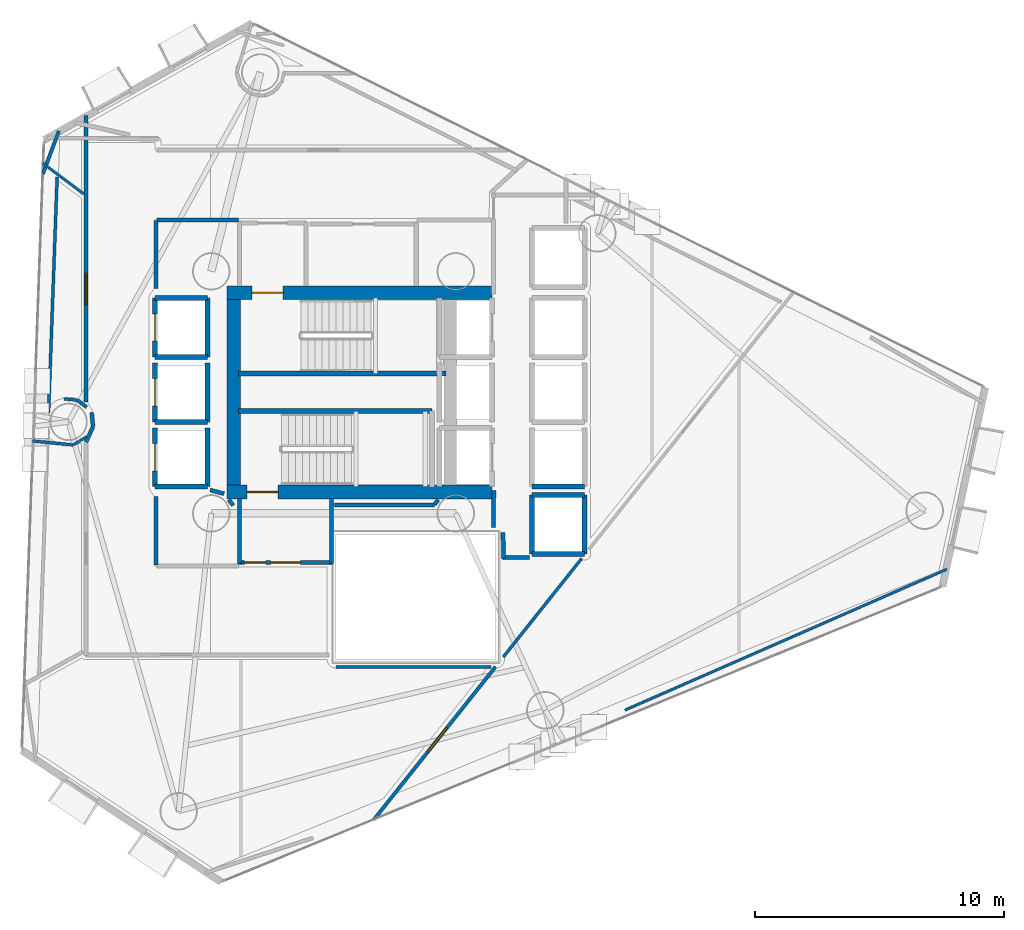
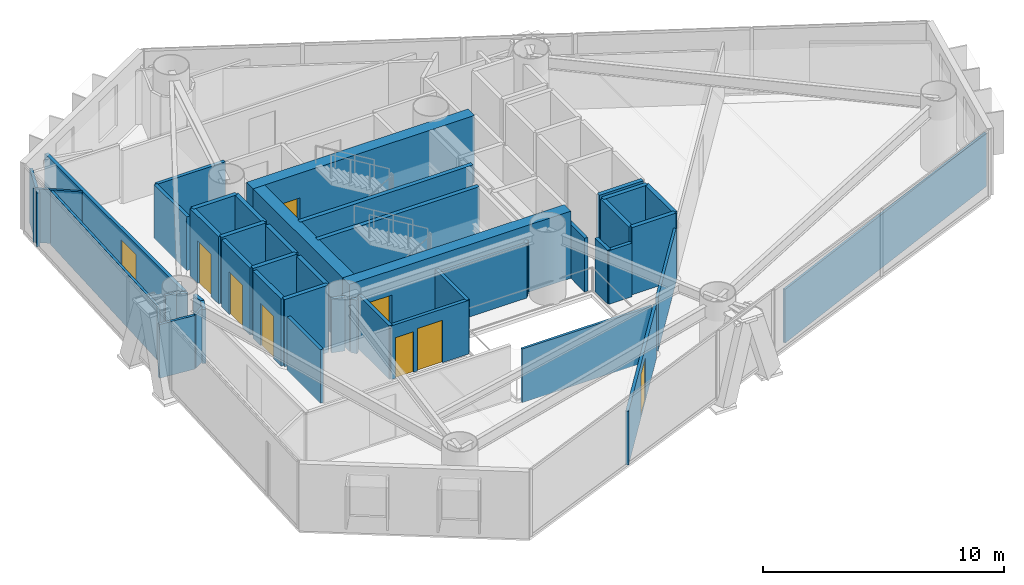
# One storey, part 17 of 22: 47 walls, 9 doors, 9 openings.
"""IFC4 building model written with IfcOpenShell, lengths in metres."""

import ifcopenshell
import ifcopenshell.guid

model = None  # the IFC model being written
_history = None  # IfcOwnerHistory: only IFC2X3 demands one
_inside = {}  # id of a spatial element -> (the spatial element, [elements in it])
_under = {}  # id of a project, library or spatial element -> (it, [spatial elements below it])
_declared = {}  # id of a project -> (the project, [libraries it declares])
_typed = {}  # id of a type object -> (the type object, [elements of that type])
_made_of = {}  # id of a material, layer set ... -> (it, [elements and type objects made of it])


def new_model(schema):
    """Start an empty IFC model of exactly this schema.

    Asked for "IFC4X3", IfcOpenShell would pick the latest addendum, in which some entities
    have other attributes; the version numbers below select the first issue.
    IFC2X3 requires an IfcOwnerHistory on every rooted entity: one is made here for all.
    """
    global model, _history
    if schema == "IFC4X3":
        model = ifcopenshell.file(schema_version=(4, 3, 0, 0))
    else:
        model = ifcopenshell.file(schema=schema)
    _inside.clear()
    _under.clear()
    _declared.clear()
    _typed.clear()
    _made_of.clear()
    _history = None
    if model.schema == "IFC2X3":
        org = make("IfcOrganization", Name="unknown")
        user = make(
            "IfcPersonAndOrganization",
            ThePerson=make("IfcPerson", FamilyName="unknown"),
            TheOrganization=org,
        )
        app = make(
            "IfcApplication",
            ApplicationDeveloper=org,
            Version="unknown",
            ApplicationFullName="unknown",
            ApplicationIdentifier="unknown",
        )
        _history = make(
            "IfcOwnerHistory",
            OwningUser=user,
            OwningApplication=app,
            ChangeAction="ADDED",
            CreationDate=0,
        )
    return model


def make(cls, **values):
    """One entity of the class cls with the attributes given. An attribute that is None is left unset."""
    return model.create_entity(
        cls, **{name: value for name, value in values.items() if value is not None}
    )


def rooted(cls, **values):
    """An entity with a GlobalId (a new one), such as an element, a storey or a relation."""
    return make(cls, GlobalId=ifcopenshell.guid.new(), OwnerHistory=_history, **values)


def si_unit(unit_type, name, prefix=None):
    """IfcSIUnit, for example si_unit("LENGTHUNIT", "METRE", prefix="MILLI")."""
    return make("IfcSIUnit", UnitType=unit_type, Prefix=prefix, Name=name)


def assignment(units):
    """IfcUnitAssignment: the units of a project."""
    return None if units is None else make("IfcUnitAssignment", Units=units)


def point(xyz):
    """IfcCartesianPoint."""
    return None if xyz is None else make("IfcCartesianPoint", Coordinates=xyz)


def direction(xyz):
    """IfcDirection."""
    return None if xyz is None else make("IfcDirection", DirectionRatios=xyz)


def frame(location, z_axis=None, x_axis=None):
    """IfcAxis2Placement3D, a coordinate frame: its origin and axes. An axis left out is left unset."""
    return make(
        "IfcAxis2Placement3D",
        Location=point(location),
        Axis=direction(z_axis),
        RefDirection=direction(x_axis),
    )


def frame_2d(location, x_axis=None):
    """IfcAxis2Placement2D, a coordinate frame in the plane: its origin and x axis."""
    return make(
        "IfcAxis2Placement2D", Location=point(location), RefDirection=direction(x_axis)
    )


def origin():
    """The frame at (0, 0, 0) with its axes left unset."""
    return frame((0.0, 0.0, 0.0))


def place(relative_to, where):
    """IfcLocalPlacement: puts the frame where relative to a parent placement (None: the world)."""
    return make(
        "IfcLocalPlacement", PlacementRelTo=relative_to, RelativePlacement=where
    )


def context(
    kind, dimensions, precision=None, world=None, true_north=None, identifier=None
):
    """IfcGeometricRepresentationContext, for example the 3D "Model" context."""
    return make(
        "IfcGeometricRepresentationContext",
        ContextIdentifier=identifier,
        ContextType=kind,
        CoordinateSpaceDimension=dimensions,
        Precision=precision,
        WorldCoordinateSystem=world,
        TrueNorth=true_north,
    )


def subcontext(parent, identifier, kind, view, scale=None):
    """IfcGeometricRepresentationSubContext, for example "Body" below "Model"."""
    return make(
        "IfcGeometricRepresentationSubContext",
        ContextIdentifier=identifier,
        ContextType=kind,
        ParentContext=parent,
        TargetScale=scale,
        TargetView=view,
    )


def project(units=None, contexts=None):
    """IfcProject with its units and contexts."""
    return rooted(
        "IfcProject",
        Name="project",
        RepresentationContexts=contexts,
        UnitsInContext=assignment(units),
    )


def spatial(cls, under=None, at=None, **own):
    """A site, building, storey or space (cls), placed at a placement, below another one or the project."""
    s = rooted(cls, ObjectPlacement=at, **own)
    if under is not None:
        _under.setdefault(under.id(), (under, []))[1].append(s)
    return s


def profile(cls, at=None, kind="AREA", **sizes):
    """A parametric profile (cls). Its sizes go by their IFC names, for example OverallWidth=200.0."""
    return make(cls, ProfileType=kind, Position=at, **sizes)


def rectangle(**sizes):
    """IfcRectangleProfileDef."""
    return profile("IfcRectangleProfileDef", **sizes)


def extrude(swept, where, along, depth):
    """IfcExtrudedAreaSolid: the profile swept, set in the frame where, extruded along a direction by depth."""
    return make(
        "IfcExtrudedAreaSolid",
        SweptArea=swept,
        Position=where,
        ExtrudedDirection=direction(along),
        Depth=depth,
    )


def shape(context_of_items, identifier, shape_type, items):
    """IfcShapeRepresentation: the items that make up one representation, for example the "Body"."""
    return make(
        "IfcShapeRepresentation",
        ContextOfItems=context_of_items,
        RepresentationIdentifier=identifier,
        RepresentationType=shape_type,
        Items=items,
    )


def material(Name=None, Category=None):
    """IfcMaterial."""
    return make("IfcMaterial", Name=Name, Category=Category)


def layer(
    of_material, thickness, ventilated=None, Name=None, Category=None, Priority=None
):
    """IfcMaterialLayer: one layer of a wall or slab, of a material (None: an air gap)."""
    return make(
        "IfcMaterialLayer",
        Material=of_material,
        LayerThickness=thickness,
        IsVentilated=ventilated,
        Name=Name,
        Category=Category,
        Priority=Priority,
    )


def layer_set(layers, Name=None):
    """IfcMaterialLayerSet."""
    return make("IfcMaterialLayerSet", MaterialLayers=layers, LayerSetName=Name)


def made_of(thing, what):
    """Note that an element or type object is made of a material, layer set ...; save() writes the relation."""
    if what is not None:
        _made_of.setdefault(what.id(), (what, []))[1].append(thing)
    return thing


def type_object(cls, material=None, **own):
    """A type object (cls), such as IfcWallType, which elements share."""
    return made_of(rooted(cls, **own), material)


def element(
    cls,
    number,
    at=None,
    inside=None,
    cuts=None,
    type_object=None,
    material=None,
    context=None,
    identifier="Body",
    shape_type=None,
    held_by="IfcProductDefinitionShape",
    body=None,
    shapes=None,
    **own,
):
    """One element of the class cls, such as IfcWall. Its Tag is "e" and its number.

    at: its placement. inside: the storey or other place that contains it. cuts: it is an
    opening in that element (IfcRelVoidsElement). A single representation is given by context,
    identifier, shape_type and body (its items); several are given by shapes. held_by: the class
    of the entity that holds the representations. save() writes the other relations.
    """
    e = rooted(cls, Tag="e%d" % number, ObjectPlacement=at, **own)
    if body is not None:
        shapes = [shape(context, identifier, shape_type, body)]
    if shapes is not None:
        e.Representation = make(held_by, Representations=shapes)
    if inside is not None:
        _inside.setdefault(inside.id(), (inside, []))[1].append(e)
    if cuts is not None:
        rooted(
            "IfcRelVoidsElement", RelatingBuildingElement=cuts, RelatedOpeningElement=e
        )
    if type_object is not None:
        _typed.setdefault(type_object.id(), (type_object, []))[1].append(e)
    return made_of(e, material)


def fill(opening, filler):
    """IfcRelFillsElement: the door or window that sits in an opening."""
    return rooted(
        "IfcRelFillsElement",
        RelatingOpeningElement=opening,
        RelatedBuildingElement=filler,
    )


def aggregate(whole, parts):
    """IfcRelAggregates: a whole, such as a stair, and the parts it consists of."""
    return rooted("IfcRelAggregates", RelatingObject=whole, RelatedObjects=parts)


def save(model, path):
    """Write the relations noted so far, then the file.

    IfcRelAggregates (storeys below a building ...), IfcRelContainedInSpatialStructure (elements
    in a storey), IfcRelDefinesByType, IfcRelAssociatesMaterial and IfcRelDeclares: one each for
    every whole, place, type object, material and project.
    """
    for whole, parts in _under.values():
        aggregate(whole, parts)
    for where, things in _inside.values():
        rooted(
            "IfcRelContainedInSpatialStructure",
            RelatedElements=things,
            RelatingStructure=where,
        )
    for kind, things in _typed.values():
        rooted("IfcRelDefinesByType", RelatedObjects=things, RelatingType=kind)
    for what, things in _made_of.values():
        rooted("IfcRelAssociatesMaterial", RelatedObjects=things, RelatingMaterial=what)
    for by, libraries in _declared.values():
        rooted("IfcRelDeclares", RelatingContext=by, RelatedDefinitions=libraries)
    model.write(path)


model = new_model("IFC4")

# Units and contexts
model_context = context("Model", 3, precision=1e-05, world=origin(), true_north=direction((0.0, 1.0)))
body_context = subcontext(model_context, "Body", "Model", "MODEL_VIEW")
ifc_project = project(units=[si_unit("LENGTHUNIT", "METRE"), si_unit("AREAUNIT", "SQUARE_METRE"), si_unit("VOLUMEUNIT", "CUBIC_METRE"), si_unit("PLANEANGLEUNIT", "RADIAN"), si_unit("MASSUNIT", "GRAM", prefix="KILO")], contexts=[model_context])

# Site, building, storey
site_placement = place(None, origin())
site = spatial("IfcSite", under=ifc_project, at=site_placement, CompositionType="ELEMENT")
building_placement = place(site_placement, origin())
building = spatial("IfcBuilding", under=site, at=building_placement, Name="Qianvela Tower", CompositionType="ELEMENT")
storey_placement = place(building_placement, frame((0.0, 0.0, 134.800048828125)))
storey = spatial("IfcBuildingStorey", under=building, at=storey_placement, Name="L34", CompositionType="ELEMENT", Elevation=134.800048828125)

# Wall, opening, door
ifc_material_1 = material(Name="Concrete C60", Category="concrete")
ifc_layer_1 = layer(ifc_material_1, 0.550048828125)
ifc_layer_set_1 = layer_set([ifc_layer_1], Name="Concrete C60")
wall_type_1 = type_object("IfcWallType", Name="WT-CORE-550", PredefinedType="SHEAR", material=ifc_layer_set_1)
wall_1_placement = place(storey_placement, frame((29.22998046875, 32.695068359375, 0.0), z_axis=(0.0, 0.0, 1.0), x_axis=(1.0, 0.0, 0.0)))
wall_1 = element("IfcWall", 1, at=wall_1_placement, inside=storey, type_object=wall_type_1, Name="L34 North Core Shear Wall", PredefinedType="SHEAR", context=body_context, shape_type="SweptSolid", body=[
    extrude(rectangle(XDim=10.6201171875, YDim=0.550048828125, at=frame_2d((5.31005859375, 0.0))), origin(), (0.0, 0.0, 1.0), 3.39990234375),
])
opening_1_placement = place(wall_1_placement, frame((0.9951171875, 0.0, 0.0)))
opening_1 = element("IfcOpeningElement", 2, at=opening_1_placement, cuts=wall_1, Name="Opening D-ST1", PredefinedType="OPENING", context=body_context, shape_type="SweptSolid", body=[
    extrude(rectangle(XDim=1.25, YDim=2.14990234375, at=frame_2d((0.625, 1.074951171875))), frame((0.0, 0.284912109375, 0.0), z_axis=(0.0, -1.0, 0.0), x_axis=(1.0, 0.0, 0.0)), (0.0, 0.0, 1.0), 0.570068359375),
])
ifc_material_2 = material(Name="Galvanised Fire Steel Q355B", Category="steel")
door_type_1 = type_object("IfcDoorType", Name="DT-STAIR-FD90", OperationType="NOTDEFINED", PredefinedType="DOOR", material=ifc_material_2)
door_1_placement = place(opening_1_placement, origin())
door_1 = element("IfcDoor", 3, at=door_1_placement, inside=storey, type_object=door_type_1, Name="L34 Stair ST-1 Exit Door", OperationType="SINGLE_SWING_RIGHT", OverallHeight=2.14990234375, OverallWidth=1.25, PredefinedType="DOOR", context=body_context, shape_type="SweptSolid", body=[
    extrude(rectangle(XDim=1.25, YDim=2.14990234375, at=frame_2d((0.625, 1.074951171875))), frame((0.0, 0.02490234375, 0.0), z_axis=(0.0, -1.0, 0.0), x_axis=(1.0, 0.0, 0.0)), (0.0, 0.0, 1.0), 0.050048828125),
])
fill(opening_1, door_1)

wall_2_placement = place(storey_placement, frame((29.22998046875, 24.705078125, 0.0), z_axis=(0.0, 0.0, 1.0), x_axis=(1.0, 0.0, 0.0)))
wall_2 = element("IfcWall", 4, at=wall_2_placement, inside=storey, type_object=wall_type_1, Name="L34 South Core Shear Wall", PredefinedType="SHEAR", context=body_context, shape_type="SweptSolid", body=[
    extrude(rectangle(XDim=10.6201171875, YDim=0.550048828125, at=frame_2d((5.31005859375, 0.0))), origin(), (0.0, 0.0, 1.0), 3.39990234375),
])
opening_2_placement = place(wall_2_placement, frame((0.794921875, 0.0, 0.0)))
opening_2 = element("IfcOpeningElement", 5, at=opening_2_placement, cuts=wall_2, Name="Opening D-ST1", PredefinedType="OPENING", context=body_context, shape_type="SweptSolid", body=[
    extrude(rectangle(XDim=1.25, YDim=2.14990234375, at=frame_2d((0.625, 1.074951171875))), frame((0.0, 0.284912109375, 0.0), z_axis=(0.0, -1.0, 0.0), x_axis=(1.0, 0.0, 0.0)), (0.0, 0.0, 1.0), 0.570068359375),
])
door_2_placement = place(opening_2_placement, origin())
door_2 = element("IfcDoor", 6, at=door_2_placement, inside=storey, type_object=door_type_1, Name="L34 Stair ST-2 Exit Door", OperationType="SINGLE_SWING_RIGHT", OverallHeight=2.14990234375, OverallWidth=1.25, PredefinedType="DOOR", context=body_context, shape_type="SweptSolid", body=[
    extrude(rectangle(XDim=1.25, YDim=2.14990234375, at=frame_2d((0.625, 1.074951171875))), frame((0.0, 0.02490234375, 0.0), z_axis=(0.0, -1.0, 0.0), x_axis=(1.0, 0.0, 0.0)), (0.0, 0.0, 1.0), 0.050048828125),
])
fill(opening_2, door_2)

# Wall
wall_3_placement = place(storey_placement, frame((29.5048828125, 24.97998046875, 0.0), z_axis=(0.0, 0.0, 1.0), x_axis=(0.0, 1.0, 0.0)))
element("IfcWall", 7, at=wall_3_placement, inside=storey, type_object=wall_type_1, Name="L34 West Core Shear Wall", PredefinedType="SHEAR", context=body_context, shape_type="SweptSolid", body=[
    extrude(rectangle(XDim=7.43994140625, YDim=0.550048828125, at=frame_2d((3.719970703125, 0.0))), origin(), (0.0, 0.0, 1.0), 3.39990234375),
])

# Wall, openings, doors
ifc_material_3 = material(Name="Fire-Rated Gypsum and Concrete Block", Category="concrete")
ifc_layer_2 = layer(ifc_material_3, 0.159912109375)
ifc_layer_set_2 = layer_set([ifc_layer_2], Name="Fire-Rated Gypsum and Concrete Block")
wall_type_2 = type_object("IfcWallType", Name="WT-CORR-160", PredefinedType="PARTITIONING", material=ifc_layer_set_2)
wall_4_placement = place(storey_placement, frame((33.449951171875, 21.881103515625, 0.0), z_axis=(0.0, 0.0, 1.0), x_axis=(-1.0, 0.0, 0.0)))
wall_4 = element("IfcWall", 8, at=wall_4_placement, inside=storey, type_object=wall_type_2, Name="L34 Partition 5", PredefinedType="PARTITIONING", context=body_context, shape_type="SweptSolid", body=[
    extrude(rectangle(XDim=3.75, YDim=0.159912109375, at=frame_2d((1.875, 0.0))), origin(), (0.0, 0.0, 1.0), 2.719970703125),
])
opening_3_placement = place(wall_4_placement, frame((1.27490234375, 0.0, 0.0)))
opening_3 = element("IfcOpeningElement", 9, at=opening_3_placement, cuts=wall_4, Name="Opening D-LB1", PredefinedType="OPENING", context=body_context, shape_type="SweptSolid", body=[
    extrude(rectangle(XDim=1.199951171875, YDim=2.14990234375, at=frame_2d((0.60009765625, 1.074951171875))), frame((0.0, 0.08984375, 0.0), z_axis=(0.0, -1.0, 0.0), x_axis=(1.0, 0.0, 0.0)), (0.0, 0.0, 1.0), 0.179931640625),
])
opening_4_placement = place(wall_4_placement, frame((2.659912109375, 0.0, 0.0)))
opening_4 = element("IfcOpeningElement", 10, at=opening_4_placement, cuts=wall_4, Name="Opening D-LB2", PredefinedType="OPENING", context=body_context, shape_type="SweptSolid", body=[
    extrude(rectangle(XDim=0.860107421875, YDim=2.050048828125, at=frame_2d((0.43017578125, 1.02490234375))), frame((0.0, 0.08984375, 0.0), z_axis=(0.0, -1.0, 0.0), x_axis=(1.0, 0.0, 0.0)), (0.0, 0.0, 1.0), 0.179931640625),
])
ifc_material_4 = material(Name="Glazed Fire-Rated Steel Frame", Category="steel")
door_type_2 = type_object("IfcDoorType", Name="DT-LOBBY-FD90", OperationType="NOTDEFINED", PredefinedType="DOOR", material=ifc_material_4)
door_3_placement = place(opening_3_placement, origin())
door_3 = element("IfcDoor", 11, at=door_3_placement, inside=storey, type_object=door_type_2, Name="L34 Door L34 Firefighting Lobby South to L34 Floor Corridor", OperationType="SINGLE_SWING_LEFT", OverallHeight=2.14990234375, OverallWidth=1.199951171875, PredefinedType="DOOR", context=body_context, shape_type="SweptSolid", body=[
    extrude(rectangle(XDim=1.199951171875, YDim=2.14990234375, at=frame_2d((0.60009765625, 1.074951171875))), frame((0.0, 0.02490234375, 0.0), z_axis=(0.0, -1.0, 0.0), x_axis=(1.0, 0.0, 0.0)), (0.0, 0.0, 1.0), 0.050048828125),
])
fill(opening_3, door_3)
ifc_material_5 = material(Name="Insulated Steel Fire Door Q355B", Category="steel")
door_type_3 = type_object("IfcDoorType", Name="DT-LOBBY-FD90-860", OperationType="NOTDEFINED", PredefinedType="DOOR", material=ifc_material_5)
door_4_placement = place(opening_4_placement, origin())
door_4 = element("IfcDoor", 12, at=door_4_placement, inside=storey, type_object=door_type_3, Name="L34 Door L34 Firefighting Lobby South to L34 Floor Corridor", OperationType="SINGLE_SWING_RIGHT", OverallHeight=2.050048828125, OverallWidth=0.860107421875, PredefinedType="DOOR", context=body_context, shape_type="SweptSolid", body=[
    extrude(rectangle(XDim=0.860107421875, YDim=2.050048828125, at=frame_2d((0.43017578125, 1.02490234375))), frame((0.0, 0.02490234375, 0.0), z_axis=(0.0, -1.0, 0.0), x_axis=(1.0, 0.0, 0.0)), (0.0, 0.0, 1.0), 0.050048828125),
])
fill(opening_4, door_4)

# Walls
for number, where, z_axis, x_axis, name in (
    (13, (29.73095703125, 21.85009765625, 0.0), (0.0, 0.0, 1.0), (0.0, 1.0, 0.0), "L34 Partition 6"),
    (14, (33.4189453125, 24.44189453125, 0.0), (0.0, 0.0, 1.0), (0.0, -1.0, 0.0), "L34 Partition 8"),
):
    element("IfcWall", number, at=place(storey_placement, frame(where, z_axis=z_axis, x_axis=x_axis)), inside=storey, type_object=wall_type_2, Name=name, PredefinedType="PARTITIONING", context=body_context, shape_type="SweptSolid", body=[
        extrude(rectangle(XDim=2.591796875, YDim=0.159912109375, at=frame_2d((1.2958984375, 0.0))), origin(), (0.0, 0.0, 1.0), 2.719970703125),
    ])
wall_5_placement = place(storey_placement, frame((41.360107421875, 22.0810546875, 0.0), z_axis=(0.0, 0.0, 1.0), x_axis=(-1.0, 0.0, 0.0)))
element("IfcWall", 15, at=wall_5_placement, inside=storey, type_object=wall_type_2, Name="L34 Partition 15", PredefinedType="PARTITIONING", context=body_context, shape_type="SweptSolid", body=[
    extrude(rectangle(XDim=1.080078125, YDim=0.159912109375, at=frame_2d((0.5400390625, 0.0))), origin(), (0.0, 0.0, 1.0), 2.719970703125),
])
wall_6_placement = place(storey_placement, frame((40.31103515625, 22.05029296875, 0.0), z_axis=(0.0, 0.0, 1.0), x_axis=(-0.011836292006, 0.999929948642, 0.0)))
element("IfcWall", 16, at=wall_6_placement, inside=storey, type_object=wall_type_2, Name="L34 Partition 16", PredefinedType="PARTITIONING", context=body_context, shape_type="SweptSolid", body=[
    extrude(rectangle(XDim=1.03125, YDim=0.159912109375, at=frame_2d((0.515625, 0.0))), origin(), (0.0, 0.0, 1.0), 2.719970703125),
])
wall_7_placement = place(storey_placement, frame((39.910888671875, 23.27978515625, 0.0), z_axis=(0.0, 0.0, 1.0), x_axis=(0.009397771291, 0.999955839972, 0.0)))
element("IfcWall", 17, at=wall_7_placement, inside=storey, type_object=wall_type_2, Name="L34 Partition 17", PredefinedType="PARTITIONING", context=body_context, shape_type="SweptSolid", body=[
    extrude(rectangle(XDim=1.480712890625, YDim=0.159912109375, at=frame_2d((0.740234375, 0.0))), origin(), (0.0, 0.0, 1.0), 2.719970703125),
])
wall_8_placement = place(storey_placement, frame((29.47998046875, 24.1689453125, 0.0), z_axis=(0.0, 0.0, 1.0), x_axis=(-0.607608252226, 0.794236873878, 0.0)))
element("IfcWall", 18, at=wall_8_placement, inside=storey, type_object=wall_type_2, Name="L34 Partition 26", PredefinedType="PARTITIONING", context=body_context, shape_type="SweptSolid", body=[
    extrude(rectangle(XDim=0.286376953125, YDim=0.159912109375, at=frame_2d((0.14306640625, 0.0))), origin(), (0.0, 0.0, 1.0), 2.719970703125),
])
wall_9_placement = place(storey_placement, frame((29.113525390625, 24.63671875, 0.0), z_axis=(0.0, 0.0, 1.0), x_axis=(-0.966199685486, 0.257794817183, 0.0)))
element("IfcWall", 19, at=wall_9_placement, inside=storey, type_object=wall_type_2, Name="L34 Partition 27", PredefinedType="PARTITIONING", context=body_context, shape_type="SweptSolid", body=[
    extrude(rectangle(XDim=0.574951171875, YDim=0.159912109375, at=frame_2d((0.28759765625, 0.0))), origin(), (0.0, 0.0, 1.0), 2.719970703125),
])
wall_10_placement = place(storey_placement, frame((37.694091796875, 24.396484375, 0.0), z_axis=(0.0, 0.0, 1.0), x_axis=(-0.607118658061, -0.794611184815, 0.0)))
element("IfcWall", 20, at=wall_10_placement, inside=storey, type_object=wall_type_2, Name="L34 Partition 34", PredefinedType="PARTITIONING", context=body_context, shape_type="SweptSolid", body=[
    extrude(rectangle(XDim=0.24609375, YDim=0.159912109375, at=frame_2d((0.123046875, 0.0))), origin(), (0.0, 0.0, 1.0), 2.719970703125),
])
wall_11_placement = place(storey_placement, frame((37.544677734375, 24.180908203125, 0.0), z_axis=(0.0, 0.0, 1.0), x_axis=(-1.0, 0.0, 0.0)))
element("IfcWall", 21, at=wall_11_placement, inside=storey, type_object=wall_type_2, Name="L34 Partition 35", PredefinedType="PARTITIONING", context=body_context, shape_type="SweptSolid", body=[
    extrude(rectangle(XDim=4.0146484375, YDim=0.159912109375, at=frame_2d((2.00732421875, 0.0))), origin(), (0.0, 0.0, 1.0), 2.719970703125),
])

# Wall, opening, door
wall_12_placement = place(storey_placement, frame((23.5810546875, 28.306640625, 0.0), z_axis=(0.0, 0.0, 1.0), x_axis=(0.0, 1.0, 0.0)))
wall_12 = element("IfcWall", 22, at=wall_12_placement, inside=storey, type_object=wall_type_2, Name="L34 Partition 36", PredefinedType="PARTITIONING", context=body_context, shape_type="SweptSolid", body=[
    extrude(rectangle(XDim=11.4814453125, YDim=0.159912109375, at=frame_2d((5.74072265625, 0.0))), origin(), (0.0, 0.0, 1.0), 2.719970703125),
])
opening_5_placement = place(wall_12_placement, frame((3.9091796875, 0.0, 0.0)))
opening_5 = element("IfcOpeningElement", 23, at=opening_5_placement, cuts=wall_12, Name="Opening D-LG1", PredefinedType="OPENING", context=body_context, shape_type="SweptSolid", body=[
    extrude(rectangle(XDim=1.25, YDim=2.199951171875, at=frame_2d((0.625, 1.10009765625))), frame((0.0, 0.08984375, 0.0), z_axis=(0.0, -1.0, 0.0), x_axis=(1.0, 0.0, 0.0)), (0.0, 0.0, 1.0), 0.179931640625),
])
ifc_material_6 = material(Name="Anodised Aluminium Acoustic Glass Door", Category="aluminium")
door_type_4 = type_object("IfcDoorType", Name="DT-LOUNGE-1250", OperationType="NOTDEFINED", PredefinedType="DOOR", material=ifc_material_6)
door_5_placement = place(opening_5_placement, origin())
door_5 = element("IfcDoor", 24, at=door_5_placement, inside=storey, type_object=door_type_4, Name="L34 Door Commons Day Lounge L34-03 to L34 Floor Corridor", OperationType="SINGLE_SWING_LEFT", OverallHeight=2.199951171875, OverallWidth=1.25, PredefinedType="DOOR", context=body_context, shape_type="SweptSolid", body=[
    extrude(rectangle(XDim=1.25, YDim=2.199951171875, at=frame_2d((0.625, 1.10009765625))), frame((0.0, 0.02490234375, 0.0), z_axis=(0.0, -1.0, 0.0), x_axis=(1.0, 0.0, 0.0)), (0.0, 0.0, 1.0), 0.050048828125),
])
fill(opening_5, door_5)

# Walls
wall_13_placement = place(storey_placement, frame((29.699951171875, 35.611083984375, 0.0), z_axis=(0.0, 0.0, 1.0), x_axis=(-1.0, 0.0, 0.0)))
element("IfcWall", 25, at=wall_13_placement, inside=storey, type_object=wall_type_2, Name="L34 Partition 42 seg 3", PredefinedType="PARTITIONING", context=body_context, shape_type="SweptSolid", body=[
    extrude(rectangle(XDim=3.280029296875, YDim=0.159912109375, at=frame_2d((1.64013671875, 0.0))), origin(), (0.0, 0.0, 1.0), 2.719970703125),
])
wall_14_placement = place(storey_placement, frame((26.388916015625, 35.580078125, 0.0), z_axis=(0.0, 0.0, 1.0), x_axis=(0.0, -1.0, 0.0)))
element("IfcWall", 26, at=wall_14_placement, inside=storey, type_object=wall_type_2, Name="L34 Partition 43", PredefinedType="PARTITIONING", context=body_context, shape_type="SweptSolid", body=[
    extrude(rectangle(XDim=2.71044921875, YDim=0.159912109375, at=frame_2d((1.355224609375, 0.0))), origin(), (0.0, 0.0, 1.0), 2.719970703125),
])
wall_15_placement = place(storey_placement, frame((26.388916015625, 24.530517578125, 0.0), z_axis=(0.0, 0.0, 1.0), x_axis=(0.0, -1.0, 0.0)))
element("IfcWall", 27, at=wall_15_placement, inside=storey, type_object=wall_type_2, Name="L34 Partition 45", PredefinedType="PARTITIONING", context=body_context, shape_type="SweptSolid", body=[
    extrude(rectangle(XDim=2.75048828125, YDim=0.159912109375, at=frame_2d((1.375244140625, 0.0))), origin(), (0.0, 0.0, 1.0), 2.719970703125),
])
wall_16_placement = place(storey_placement, frame((23.578125, 26.71240234375, 0.0), z_axis=(0.0, 0.0, 1.0), x_axis=(0.421251946418, 0.906943657367, 0.0)))
element("IfcWall", 28, at=wall_16_placement, inside=storey, type_object=wall_type_2, Name="L34 Partition 49", PredefinedType="PARTITIONING", context=body_context, shape_type="SweptSolid", body=[
    extrude(rectangle(XDim=0.6630859375, YDim=0.159912109375, at=frame_2d((0.33154296875, 0.0))), origin(), (0.0, 0.0, 1.0), 2.719970703125),
])
wall_17_placement = place(storey_placement, frame((23.860107421875, 27.329833984375, 0.0), z_axis=(0.0, 0.0, 1.0), x_axis=(-0.098000919071, 0.995186324193, 0.0)))
element("IfcWall", 29, at=wall_17_placement, inside=storey, type_object=wall_type_2, Name="L34 Partition 50", PredefinedType="PARTITIONING", context=body_context, shape_type="SweptSolid", body=[
    extrude(rectangle(XDim=0.56298828125, YDim=0.159912109375, at=frame_2d((0.281494140625, 0.0))), origin(), (0.0, 0.0, 1.0), 2.719970703125),
])
ifc_material_7 = material(Name="Lightweight Gypsum Room Partition")
ifc_layer_3 = layer(ifc_material_7, 0.10498046875)
ifc_layer_set_3 = layer_set([ifc_layer_3], Name="Lightweight Gypsum Room Partition")
wall_type_3 = type_object("IfcWallType", Name="WT-PART-105", PredefinedType="PARTITIONING", material=ifc_layer_set_3)
wall_18_placement = place(storey_placement, frame((23.07177734375, 26.59716796875, 0.0), z_axis=(0.0, 0.0, 1.0), x_axis=(0.851779925453, 0.523899760064, 0.0)))
element("IfcWall", 30, at=wall_18_placement, inside=storey, type_object=wall_type_3, Name="L34 Partition 57", PredefinedType="PARTITIONING", context=body_context, shape_type="SweptSolid", body=[
    extrude(rectangle(XDim=0.620361328125, YDim=0.10498046875, at=frame_2d((0.31005859375, 0.0))), origin(), (0.0, 0.0, 1.0), 2.719970703125),
])
wall_19_placement = place(storey_placement, frame((23.48876953125, 36.649658203125, 0.0), z_axis=(0.0, 0.0, 1.0), x_axis=(-0.798656999973, 0.601786503998, 0.0)))
element("IfcWall", 31, at=wall_19_placement, inside=storey, type_object=wall_type_3, Name="L34 Partition 60", PredefinedType="PARTITIONING", context=body_context, shape_type="SweptSolid", body=[
    extrude(rectangle(XDim=2.0537109375, YDim=0.10498046875, at=frame_2d((1.02685546875, 0.0))), origin(), (0.0, 0.0, 1.0), 2.719970703125),
])
wall_20_placement = place(storey_placement, frame((58.080078125, 21.609619140625, 0.0), z_axis=(0.0, 0.0, 1.0), x_axis=(-0.916084106558, -0.400986171472, 0.0)))
element("IfcWall", 32, at=wall_20_placement, inside=storey, type_object=wall_type_3, Name="L34 Partition 90 seg 1", PredefinedType="PARTITIONING", context=body_context, shape_type="SweptSolid", body=[
    extrude(rectangle(XDim=14.08203125, YDim=0.10498046875, at=frame_2d((7.041015625, 0.0))), origin(), (0.0, 0.0, 1.0), 2.719970703125),
])
ifc_material_8 = material(Name="Insulated Gypsum Stud Partition")
ifc_layer_4 = layer(ifc_material_8, 0.1201171875)
ifc_layer_set_4 = layer_set([ifc_layer_4], Name="Insulated Gypsum Stud Partition")
wall_type_4 = type_object("IfcWallType", Name="WT-PART-120", PredefinedType="PARTITIONING", material=ifc_layer_set_4)
wall_21_placement = place(storey_placement, frame((21.440673828125, 26.75146484375, 0.0), z_axis=(0.0, 0.0, 1.0), x_axis=(0.995173548937, -0.09813056352, 0.0)))
element("IfcWall", 33, at=wall_21_placement, inside=storey, type_object=wall_type_4, Name="L34 Partition 56", PredefinedType="PARTITIONING", context=body_context, shape_type="SweptSolid", body=[
    extrude(rectangle(XDim=1.61962890625, YDim=0.1201171875, at=frame_2d((0.809814453125, 0.0))), origin(), (0.0, 0.0, 1.0), 2.719970703125),
])
wall_22_placement = place(storey_placement, frame((23.229248046875, 28.3876953125, 0.0), z_axis=(0.0, 0.0, 1.0), x_axis=(-0.995187070607, 0.097993339047, 0.0)))
element("IfcWall", 34, at=wall_22_placement, inside=storey, type_object=wall_type_4, Name="L34 Partition 80", PredefinedType="PARTITIONING", context=body_context, shape_type="SweptSolid", body=[
    extrude(rectangle(XDim=0.528076171875, YDim=0.1201171875, at=frame_2d((0.26416015625, 0.0))), origin(), (0.0, 0.0, 1.0), 2.719970703125),
])
wall_23_placement = place(storey_placement, frame((22.078125, 27.881591796875, 0.0), z_axis=(0.0, 0.0, 1.0), x_axis=(0.036297429343, 0.999341031192, 0.0)))
element("IfcWall", 35, at=wall_23_placement, inside=storey, type_object=wall_type_4, Name="L34 Partition 83", PredefinedType="PARTITIONING", context=body_context, shape_type="SweptSolid", body=[
    extrude(rectangle(XDim=9.45703125, YDim=0.1201171875, at=frame_2d((4.728515625, 0.0))), origin(), (0.0, 0.0, 1.0), 2.719970703125),
])
wall_24_placement = place(storey_placement, frame((40.30419921875, 18.09228515625, 0.0), z_axis=(0.0, 0.0, 1.0), x_axis=(0.622687180488, 0.782470878216, 0.0)))
element("IfcWall", 36, at=wall_24_placement, inside=storey, type_object=wall_type_4, Name="L34 Partition 86", PredefinedType="PARTITIONING", context=body_context, shape_type="SweptSolid", body=[
    extrude(rectangle(XDim=5.046875, YDim=0.1201171875, at=frame_2d((2.5234375, 0.0))), origin(), (0.0, 0.0, 1.0), 2.719970703125),
])
wall_25_placement = place(storey_placement, frame((33.60009765625, 17.68896484375, 0.0), z_axis=(0.0, 0.0, 1.0), x_axis=(1.0, 0.0, 0.0)))
element("IfcWall", 37, at=wall_25_placement, inside=storey, type_object=wall_type_4, Name="L34 Partition 95", PredefinedType="PARTITIONING", context=body_context, shape_type="SweptSolid", body=[
    extrude(rectangle(XDim=6.21484375, YDim=0.1201171875, at=frame_2d((3.107421875, 0.0))), origin(), (0.0, 0.0, 1.0), 2.719970703125),
])
ifc_material_9 = material(Name="Acoustic Double Gypsum Stud Partition")
ifc_layer_5 = layer(ifc_material_9, 0.139892578125)
ifc_layer_set_5 = layer_set([ifc_layer_5], Name="Acoustic Double Gypsum Stud Partition")
wall_type_5 = type_object("IfcWallType", Name="WT-ROOM-140", PredefinedType="PARTITIONING", material=ifc_layer_set_5)
wall_26_placement = place(storey_placement, frame((21.849609375, 37.45556640625, 0.0), z_axis=(0.0, 0.0, 1.0), x_axis=(0.348320249102, 0.937375593914, 0.0)))
element("IfcWall", 38, at=wall_26_placement, inside=storey, type_object=wall_type_5, Name="L34 Partition 61", PredefinedType="PARTITIONING", context=body_context, shape_type="SweptSolid", body=[
    extrude(rectangle(XDim=1.83349609375, YDim=0.139892578125, at=frame_2d((0.916748046875, 0.0))), origin(), (0.0, 0.0, 1.0), 2.719970703125),
])
wall_27_placement = place(storey_placement, frame((23.60302734375, 28.107666015625, 0.0), z_axis=(0.0, 0.0, 1.0), x_axis=(-0.794373213153, 0.607429994505, 0.0)))
element("IfcWall", 39, at=wall_27_placement, inside=storey, type_object=wall_type_5, Name="L34 Partition 79", PredefinedType="PARTITIONING", context=body_context, shape_type="SweptSolid", body=[
    extrude(rectangle(XDim=0.450439453125, YDim=0.139892578125, at=frame_2d((0.22509765625, 0.0))), origin(), (0.0, 0.0, 1.0), 2.719970703125),
])

# Wall, opening, door
wall_28_placement = place(storey_placement, frame((35.114013671875, 11.570068359375, 0.0), z_axis=(0.0, 0.0, 1.0), x_axis=(0.622682737299, 0.782474414067, 0.0)))
wall_28 = element("IfcWall", 40, at=wall_28_placement, inside=storey, type_object=wall_type_5, Name="L34 Partition 91", PredefinedType="PARTITIONING", context=body_context, shape_type="SweptSolid", body=[
    extrude(rectangle(XDim=7.8349609375, YDim=0.139892578125, at=frame_2d((3.91748046875, 0.0))), origin(), (0.0, 0.0, 1.0), 2.719970703125),
])
opening_6_placement = place(wall_28_placement, frame((3.458740234375, 0.0, 0.0)))
opening_6 = element("IfcOpeningElement", 41, at=opening_6_placement, cuts=wall_28, Name="Opening D-LG1", PredefinedType="OPENING", context=body_context, shape_type="SweptSolid", body=[
    extrude(rectangle(XDim=1.25, YDim=2.199951171875, at=frame_2d((0.625, 1.10009765625))), frame((0.0, 0.079833984375, 0.0), z_axis=(0.0, -1.0, 0.0), x_axis=(1.0, 0.0, 0.0)), (0.0, 0.0, 1.0), 0.159912109375),
])
door_6_placement = place(opening_6_placement, origin())
door_6 = element("IfcDoor", 42, at=door_6_placement, inside=storey, type_object=door_type_4, Name="L34 Door Quiet Reading Study L34-04A to Panoramic Study Lounge L34-04B", OperationType="SINGLE_SWING_LEFT", OverallHeight=2.199951171875, OverallWidth=1.25, PredefinedType="DOOR", context=body_context, shape_type="SweptSolid", body=[
    extrude(rectangle(XDim=1.25, YDim=2.199951171875, at=frame_2d((0.625, 1.10009765625))), frame((0.0, 0.02490234375, 0.0), z_axis=(0.0, -1.0, 0.0), x_axis=(1.0, 0.0, 0.0)), (0.0, 0.0, 1.0), 0.050048828125),
])
fill(opening_6, door_6)

# Walls
ifc_material_10 = material(Name="Concrete C50", Category="concrete")
ifc_layer_6 = layer(ifc_material_10, 0.199951171875)
ifc_layer_set_6 = layer_set([ifc_layer_6], Name="Concrete C50")
wall_type_6 = type_object("IfcWallType", Name="WT-SHAFT-200", PredefinedType="SOLIDWALL", material=ifc_layer_set_6)
wall_29_placement = place(storey_placement, frame((29.699951171875, 29.449951171875, 0.0), z_axis=(0.0, 0.0, 1.0), x_axis=(1.0, 0.0, 0.0)))
element("IfcWall", 43, at=wall_29_placement, inside=storey, type_object=wall_type_6, Name="L34 Stair ST-1 South Wall", PredefinedType="SOLIDWALL", context=body_context, shape_type="SweptSolid", body=[
    extrude(rectangle(XDim=8.300048828125, YDim=0.199951171875, at=frame_2d((4.14990234375, 0.0))), origin(), (0.0, 0.0, 1.0), 3.39990234375),
])
wall_30_placement = place(storey_placement, frame((29.699951171875, 27.9599609375, 0.0), z_axis=(0.0, 0.0, 1.0), x_axis=(1.0, 0.0, 0.0)))
element("IfcWall", 44, at=wall_30_placement, inside=storey, type_object=wall_type_6, Name="L34 Stair ST-2 North Wall", PredefinedType="SOLIDWALL", context=body_context, shape_type="SweptSolid", body=[
    extrude(rectangle(XDim=7.75, YDim=0.199951171875, at=frame_2d((3.875, 0.0))), origin(), (0.0, 0.0, 1.0), 3.39990234375),
])
wall_31_placement = place(storey_placement, frame((28.449951171875, 30.1201171875, 0.0), z_axis=(0.0, 0.0, 1.0), x_axis=(0.0, 1.0, 0.0)))
element("IfcWall", 45, at=wall_31_placement, inside=storey, type_object=wall_type_6, Name="L34 Lift PL-L1 E Shaft Wall", PredefinedType="SOLIDWALL", context=body_context, shape_type="SweptSolid", body=[
    extrude(rectangle(XDim=2.35986328125, YDim=0.199951171875, at=frame_2d((1.179931640625, 0.0))), origin(), (0.0, 0.0, 1.0), 3.39990234375),
])

# Wall, opening, door
wall_32_placement = place(storey_placement, frame((26.35009765625, 30.1201171875, 0.0), z_axis=(0.0, 0.0, 1.0), x_axis=(0.0, 1.0, 0.0)))
wall_32 = element("IfcWall", 46, at=wall_32_placement, inside=storey, type_object=wall_type_6, Name="L34 Lift PL-L1 W Shaft Wall", PredefinedType="SOLIDWALL", context=body_context, shape_type="SweptSolid", body=[
    extrude(rectangle(XDim=2.35986328125, YDim=0.199951171875, at=frame_2d((1.179931640625, 0.0))), origin(), (0.0, 0.0, 1.0), 3.39990234375),
])
opening_7_placement = place(wall_32_placement, frame((0.6298828125, 0.0, 0.0)))
opening_7 = element("IfcOpeningElement", 47, at=opening_7_placement, cuts=wall_32, Name="Opening LD-01", PredefinedType="OPENING", context=body_context, shape_type="SweptSolid", body=[
    extrude(rectangle(XDim=1.10009765625, YDim=2.14990234375, at=frame_2d((0.550048828125, 1.074951171875))), frame((0.0, 0.10986328125, 0.0), z_axis=(0.0, -1.0, 0.0), x_axis=(1.0, 0.0, 0.0)), (0.0, 0.0, 1.0), 0.219970703125),
])
ifc_material_11 = material(Name="Brushed Stainless Steel Lift Landing Door", Category="steel")
door_type_5 = type_object("IfcDoorType", Name="DT-LIFT-SLIDE-1100", OperationType="SLIDING_TO_LEFT", PredefinedType="DOOR", material=ifc_material_11)
door_7_placement = place(opening_7_placement, origin())
door_7 = element("IfcDoor", 48, at=door_7_placement, inside=storey, type_object=door_type_5, Name="L34 Lift PL-L1 Sliding Landing Door", OperationType="SLIDING_TO_LEFT", OverallHeight=2.14990234375, OverallWidth=1.10009765625, PredefinedType="DOOR", context=body_context, shape_type="SweptSolid", body=[
    extrude(rectangle(XDim=1.10009765625, YDim=2.14990234375, at=frame_2d((0.550048828125, 1.074951171875))), frame((0.0, 0.02490234375, 0.0), z_axis=(0.0, -1.0, 0.0), x_axis=(1.0, 0.0, 0.0)), (0.0, 0.0, 1.0), 0.050048828125),
])
fill(opening_7, door_7)

# Walls
for number, where, z_axis, x_axis, name in (
    (49, (26.35009765625, 32.47998046875, 0.0), (0.0, 0.0, 1.0), (1.0, 0.0, 0.0), "L34 Lift PL-L1 N Shaft Wall"),
    (50, (26.35009765625, 30.1201171875, 0.0), (0.0, 0.0, 1.0), (1.0, 0.0, 0.0), "L34 Lift PL-L1 S Shaft Wall"),
):
    element("IfcWall", number, at=place(storey_placement, frame(where, z_axis=z_axis, x_axis=x_axis)), inside=storey, type_object=wall_type_6, Name=name, PredefinedType="SOLIDWALL", context=body_context, shape_type="SweptSolid", body=[
        extrude(rectangle(XDim=2.099853515625, YDim=0.199951171875, at=frame_2d((1.0498046875, 0.0))), origin(), (0.0, 0.0, 1.0), 3.39990234375),
    ])
wall_33_placement = place(storey_placement, frame((28.449951171875, 27.52001953125, 0.0), z_axis=(0.0, 0.0, 1.0), x_axis=(0.0, 1.0, 0.0)))
element("IfcWall", 51, at=wall_33_placement, inside=storey, type_object=wall_type_6, Name="L34 Lift PL-L2 E Shaft Wall", PredefinedType="SOLIDWALL", context=body_context, shape_type="SweptSolid", body=[
    extrude(rectangle(XDim=2.35986328125, YDim=0.199951171875, at=frame_2d((1.179931640625, 0.0))), origin(), (0.0, 0.0, 1.0), 3.39990234375),
])

# Wall, opening, door
wall_34_placement = place(storey_placement, frame((26.35009765625, 27.52001953125, 0.0), z_axis=(0.0, 0.0, 1.0), x_axis=(0.0, 1.0, 0.0)))
wall_34 = element("IfcWall", 52, at=wall_34_placement, inside=storey, type_object=wall_type_6, Name="L34 Lift PL-L2 W Shaft Wall", PredefinedType="SOLIDWALL", context=body_context, shape_type="SweptSolid", body=[
    extrude(rectangle(XDim=2.35986328125, YDim=0.199951171875, at=frame_2d((1.179931640625, 0.0))), origin(), (0.0, 0.0, 1.0), 3.39990234375),
])
opening_8_placement = place(wall_34_placement, frame((0.6298828125, 0.0, 0.0)))
opening_8 = element("IfcOpeningElement", 53, at=opening_8_placement, cuts=wall_34, Name="Opening LD-01", PredefinedType="OPENING", context=body_context, shape_type="SweptSolid", body=[
    extrude(rectangle(XDim=1.10009765625, YDim=2.14990234375, at=frame_2d((0.550048828125, 1.074951171875))), frame((0.0, 0.10986328125, 0.0), z_axis=(0.0, -1.0, 0.0), x_axis=(1.0, 0.0, 0.0)), (0.0, 0.0, 1.0), 0.219970703125),
])
door_8_placement = place(opening_8_placement, origin())
door_8 = element("IfcDoor", 54, at=door_8_placement, inside=storey, type_object=door_type_5, Name="L34 Lift PL-L2 Sliding Landing Door", OperationType="SLIDING_TO_LEFT", OverallHeight=2.14990234375, OverallWidth=1.10009765625, PredefinedType="DOOR", context=body_context, shape_type="SweptSolid", body=[
    extrude(rectangle(XDim=1.10009765625, YDim=2.14990234375, at=frame_2d((0.550048828125, 1.074951171875))), frame((0.0, 0.02490234375, 0.0), z_axis=(0.0, -1.0, 0.0), x_axis=(1.0, 0.0, 0.0)), (0.0, 0.0, 1.0), 0.050048828125),
])
fill(opening_8, door_8)

# Walls
wall_35_placement = place(storey_placement, frame((26.35009765625, 27.52001953125, 0.0), z_axis=(0.0, 0.0, 1.0), x_axis=(1.0, 0.0, 0.0)))
element("IfcWall", 55, at=wall_35_placement, inside=storey, type_object=wall_type_6, Name="L34 Lift PL-L2 S Shaft Wall", PredefinedType="SOLIDWALL", context=body_context, shape_type="SweptSolid", body=[
    extrude(rectangle(XDim=2.099853515625, YDim=0.199951171875, at=frame_2d((1.0498046875, 0.0))), origin(), (0.0, 0.0, 1.0), 3.39990234375),
])
wall_36_placement = place(storey_placement, frame((28.449951171875, 24.919921875, 0.0), z_axis=(0.0, 0.0, 1.0), x_axis=(0.0, 1.0, 0.0)))
element("IfcWall", 56, at=wall_36_placement, inside=storey, type_object=wall_type_6, Name="L34 Lift PL-L3 E Shaft Wall", PredefinedType="SOLIDWALL", context=body_context, shape_type="SweptSolid", body=[
    extrude(rectangle(XDim=2.360107421875, YDim=0.199951171875, at=frame_2d((1.18017578125, 0.0))), origin(), (0.0, 0.0, 1.0), 3.39990234375),
])

# Wall, opening, door
wall_37_placement = place(storey_placement, frame((26.35009765625, 24.919921875, 0.0), z_axis=(0.0, 0.0, 1.0), x_axis=(0.0, 1.0, 0.0)))
wall_37 = element("IfcWall", 57, at=wall_37_placement, inside=storey, type_object=wall_type_6, Name="L34 Lift PL-L3 W Shaft Wall", PredefinedType="SOLIDWALL", context=body_context, shape_type="SweptSolid", body=[
    extrude(rectangle(XDim=2.360107421875, YDim=0.199951171875, at=frame_2d((1.18017578125, 0.0))), origin(), (0.0, 0.0, 1.0), 3.39990234375),
])
opening_9_placement = place(wall_37_placement, frame((0.6298828125, 0.0, 0.0)))
opening_9 = element("IfcOpeningElement", 58, at=opening_9_placement, cuts=wall_37, Name="Opening LD-01", PredefinedType="OPENING", context=body_context, shape_type="SweptSolid", body=[
    extrude(rectangle(XDim=1.10009765625, YDim=2.14990234375, at=frame_2d((0.550048828125, 1.074951171875))), frame((0.0, 0.10986328125, 0.0), z_axis=(0.0, -1.0, 0.0), x_axis=(1.0, 0.0, 0.0)), (0.0, 0.0, 1.0), 0.219970703125),
])
door_9_placement = place(opening_9_placement, origin())
door_9 = element("IfcDoor", 59, at=door_9_placement, inside=storey, type_object=door_type_5, Name="L34 Lift PL-L3 Sliding Landing Door", OperationType="SLIDING_TO_LEFT", OverallHeight=2.14990234375, OverallWidth=1.10009765625, PredefinedType="DOOR", context=body_context, shape_type="SweptSolid", body=[
    extrude(rectangle(XDim=1.10009765625, YDim=2.14990234375, at=frame_2d((0.550048828125, 1.074951171875))), frame((0.0, 0.02490234375, 0.0), z_axis=(0.0, -1.0, 0.0), x_axis=(1.0, 0.0, 0.0)), (0.0, 0.0, 1.0), 0.050048828125),
])
fill(opening_9, door_9)

# Walls
wall_38_placement = place(storey_placement, frame((26.35009765625, 24.919921875, 0.0), z_axis=(0.0, 0.0, 1.0), x_axis=(1.0, 0.0, 0.0)))
element("IfcWall", 60, at=wall_38_placement, inside=storey, type_object=wall_type_6, Name="L34 Lift PL-L3 S Shaft Wall", PredefinedType="SOLIDWALL", context=body_context, shape_type="SweptSolid", body=[
    extrude(rectangle(XDim=2.099853515625, YDim=0.199951171875, at=frame_2d((1.0498046875, 0.0))), origin(), (0.0, 0.0, 1.0), 3.39990234375),
])
wall_39_placement = place(storey_placement, frame((41.449951171875, 24.919921875, 0.0), z_axis=(0.0, 0.0, 1.0), x_axis=(1.0, 0.0, 0.0)))
element("IfcWall", 61, at=wall_39_placement, inside=storey, type_object=wall_type_6, Name="L34 Lift PL-M3 S Shaft Wall", PredefinedType="SOLIDWALL", context=body_context, shape_type="SweptSolid", body=[
    extrude(rectangle(XDim=2.10009765625, YDim=0.199951171875, at=frame_2d((1.050048828125, 0.0))), origin(), (0.0, 0.0, 1.0), 3.39990234375),
])
for number, where, z_axis, x_axis, name in (
    (62, (43.550048828125, 22.219970703125, 0.0), (0.0, 0.0, 1.0), (0.0, 1.0, 0.0), "L34 Lift PL-H2 E Shaft Wall"),
    (63, (41.449951171875, 22.219970703125, 0.0), (0.0, 0.0, 1.0), (0.0, 1.0, 0.0), "L34 Lift PL-H2 W Shaft Wall"),
):
    element("IfcWall", number, at=place(storey_placement, frame(where, z_axis=z_axis, x_axis=x_axis)), inside=storey, type_object=wall_type_6, Name=name, PredefinedType="SOLIDWALL", context=body_context, shape_type="SweptSolid", body=[
        extrude(rectangle(XDim=2.360107421875, YDim=0.199951171875, at=frame_2d((1.18017578125, 0.0))), origin(), (0.0, 0.0, 1.0), 3.39990234375),
    ])
for number, where, z_axis, x_axis, name in (
    (64, (41.449951171875, 24.580078125, 0.0), (0.0, 0.0, 1.0), (1.0, 0.0, 0.0), "L34 Lift PL-H2 N Shaft Wall"),
    (65, (41.449951171875, 22.219970703125, 0.0), (0.0, 0.0, 1.0), (1.0, 0.0, 0.0), "L34 Lift PL-H2 S Shaft Wall"),
):
    element("IfcWall", number, at=place(storey_placement, frame(where, z_axis=z_axis, x_axis=x_axis)), inside=storey, type_object=wall_type_6, Name=name, PredefinedType="SOLIDWALL", context=body_context, shape_type="SweptSolid", body=[
        extrude(rectangle(XDim=2.10009765625, YDim=0.199951171875, at=frame_2d((1.050048828125, 0.0))), origin(), (0.0, 0.0, 1.0), 3.39990234375),
    ])

save(model, "model.ifc")
